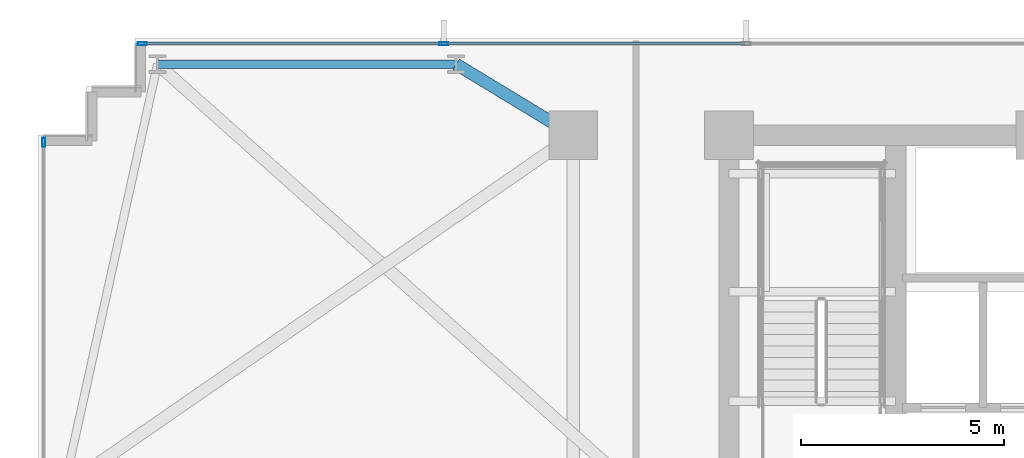
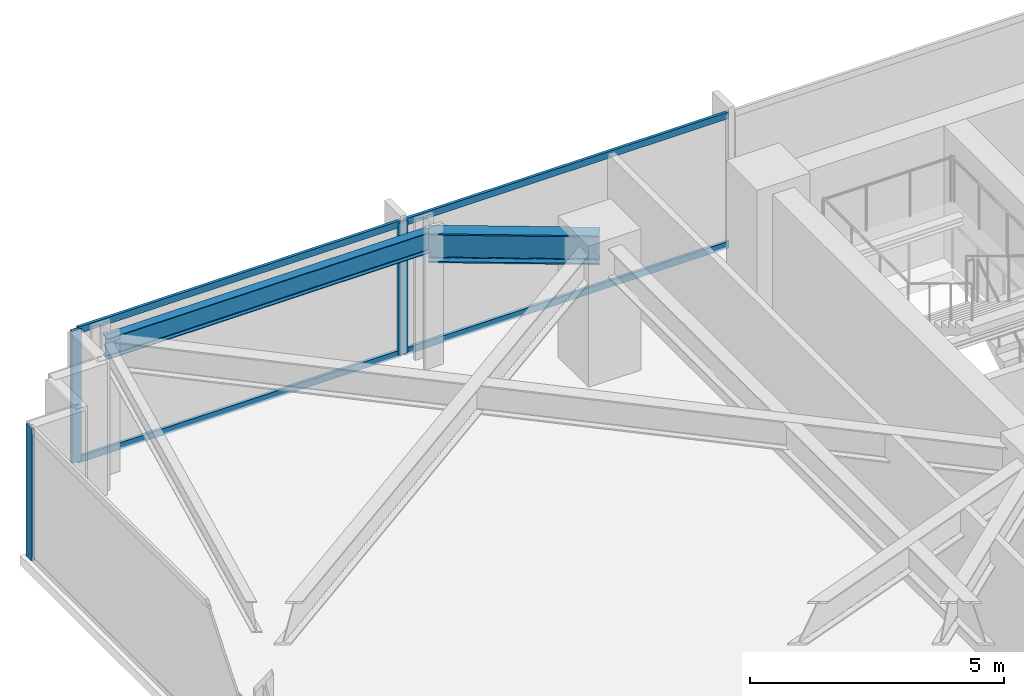
# One storey, part 17 of 32: 7 members, 2 beams, 2 elements without a shape of their own.
"""IFC4 building model written with IfcOpenShell, lengths in metres."""

from ifc_helpers import new_model, si_unit, direction, frame, origin, origin_2d, place, context, subcontext, project, spatial, hollow_rectangle, i_section, extrude, material, material_profile, profile_set, type_object, element, aggregate, save


model = new_model("IFC4")

# Units and contexts
model_context = context("Model", 3, precision=1e-05, world=origin(), true_north=direction((0.0, 1.0)))
body_context = subcontext(model_context, "Body", "Model", "MODEL_VIEW")
ifc_project = project(units=[si_unit("LENGTHUNIT", "METRE"), si_unit("AREAUNIT", "SQUARE_METRE"), si_unit("VOLUMEUNIT", "CUBIC_METRE"), si_unit("PLANEANGLEUNIT", "RADIAN"), si_unit("MASSUNIT", "GRAM", prefix="KILO")], contexts=[model_context])

# Site, building, storey
site_placement = place(None, origin())
site = spatial("IfcSite", under=ifc_project, at=site_placement, CompositionType="ELEMENT")
building_placement = place(site_placement, origin())
building = spatial("IfcBuilding", under=site, at=building_placement, Name="Yelkora Congress Tower", CompositionType="ELEMENT")
storey_placement = place(building_placement, frame((0.0, 0.0, 61.0)))
storey = spatial("IfcBuildingStorey", under=building, at=storey_placement, Name="L15", CompositionType="ELEMENT", Elevation=61.0)

# Beams
ifc_material_1 = material(Name="Steel S355J2", Category="steel")
ifc_material_profile_1 = material_profile(ifc_material_1, i_section(OverallWidth=0.300048828125, OverallDepth=0.699951171875, WebThickness=0.01708984375, FlangeThickness=0.031982421875, FilletRadius=0.027099609375, at=origin_2d()), Name="HEB 700")
ifc_profile_set_1 = profile_set([ifc_material_profile_1], Name="Steel S355J2")
beam_type_1 = type_object("IfcBeamType", Name="BM-GIRD-HEB700", PredefinedType="BEAM", material=ifc_profile_set_1)
beam_1_placement = place(storey_placement, frame((16.3125, 47.949951171875, 2.830078125), z_axis=(0.855193946581, -0.518308126244, 0.0), x_axis=(0.518308126244, 0.855193946581, 0.0)))
element("IfcBeam", 1, at=beam_1_placement, inside=storey, type_object=beam_type_1, Name="L15 Primary Frame Girder N02", PredefinedType="BEAM", context=body_context, shape_type="SweptSolid", body=[
    extrude(i_section(OverallWidth=0.300048828125, OverallDepth=0.699951171875, WebThickness=0.01708984375, FlangeThickness=0.031982421875, FilletRadius=0.027099609375, at=origin_2d()), origin(), (0.0, 0.0, 1.0), 3.37646484375),
])
ifc_material_profile_2 = material_profile(ifc_material_1, i_section(OverallWidth=0.199951171875, OverallDepth=0.5, WebThickness=0.01025390625, FlangeThickness=0.01611328125, FilletRadius=0.02099609375, at=origin_2d()), Name="IPE 500")
ifc_profile_set_2 = profile_set([ifc_material_profile_2], Name="Steel S355J2")
beam_type_2 = type_object("IfcBeamType", Name="BM-SPAN-IPE500", PredefinedType="SPANDREL", material=ifc_profile_set_2)
beam_2_placement = place(storey_placement, frame((16.3125, 47.949951171875, 2.929931640625), z_axis=(-1.0, 0.0, 0.0), x_axis=(0.0, -1.0, 0.0)))
element("IfcBeam", 2, at=beam_2_placement, inside=storey, type_object=beam_type_2, Name="L15 Perimeter Beam 16", PredefinedType="SPANDREL", context=body_context, shape_type="SweptSolid", body=[
    extrude(i_section(OverallWidth=0.199951171875, OverallDepth=0.5, WebThickness=0.01025390625, FlangeThickness=0.01611328125, FilletRadius=0.02099609375, at=origin_2d()), origin(), (0.0, 0.0, 1.0), 7.362548828125),
])

# Curtain wall, member
ifc_material_2 = material(Name="Anodised aluminium and insulated glass", Category="aluminium")
curtain_wall_type = type_object("IfcCurtainWallType", Name="CW-SYS-B1", PredefinedType="NOTDEFINED", material=ifc_material_2)
curtain_wall_1_placement = place(storey_placement, origin())
curtain_wall_1 = element("IfcCurtainWall", 3, at=curtain_wall_1_placement, inside=storey, type_object=curtain_wall_type, Name="L15 Unitised Curtain Wall 5", PredefinedType="NOTDEFINED")
ifc_material_3 = material(Name="Anodised aluminium 6063-T6", Category="aluminium")
ifc_material_profile_3 = material_profile(ifc_material_3, hollow_rectangle(XDim=0.074951171875, YDim=0.219970703125, WallThickness=0.0048828125, at=origin_2d()), Name="ALU 75x220x5")
ifc_profile_set_3 = profile_set([ifc_material_profile_3], Name="Anodised aluminium 6063-T6")
member_type_1 = type_object("IfcMemberType", Name="MEM-ML-B1", PredefinedType="MULLION", material=ifc_profile_set_3)
member_1_placement = place(storey_placement, frame((6.139892578125, 46.0224609375, 0.0), z_axis=(0.0, 0.0, 1.0), x_axis=(-1.0, 0.0, 0.0)))
member_1 = element("IfcMember", 4, at=member_1_placement, type_object=member_type_1, Name="CW-B1 mullion 5", PredefinedType="MULLION", context=body_context, shape_type="SweptSolid", body=[
    extrude(hollow_rectangle(XDim=0.074951171875, YDim=0.219970703125, WallThickness=0.0048828125, at=origin_2d()), origin(), (0.0, 0.0, 1.0), 3.179931640625),
])
aggregate(curtain_wall_1, [member_1])

# Curtain wall, members
curtain_wall_2_placement = place(storey_placement, origin())
curtain_wall_2 = element("IfcCurtainWall", 5, at=curtain_wall_2_placement, inside=storey, type_object=curtain_wall_type, Name="L15 Unitised Curtain Wall 10", PredefinedType="NOTDEFINED")
member_2_placement = place(storey_placement, frame((8.577392578125, 48.4599609375, 0.0), z_axis=(0.0, 0.0, 1.0), x_axis=(0.0, 1.0, 0.0)))
member_2 = element("IfcMember", 6, at=member_2_placement, type_object=member_type_1, Name="CW-B1 mullion 1", PredefinedType="MULLION", context=body_context, shape_type="SweptSolid", body=[
    extrude(hollow_rectangle(XDim=0.074951171875, YDim=0.219970703125, WallThickness=0.0048828125, at=origin_2d()), origin(), (0.0, 0.0, 1.0), 3.179931640625),
])
member_3_placement = place(storey_placement, frame((16.0048828125, 48.4599609375, 0.0), z_axis=(0.0, 0.0, 1.0), x_axis=(0.0, 1.0, 0.0)))
member_3 = element("IfcMember", 7, at=member_3_placement, type_object=member_type_1, Name="CW-B1 mullion 2", PredefinedType="MULLION", context=body_context, shape_type="SweptSolid", body=[
    extrude(hollow_rectangle(XDim=0.074951171875, YDim=0.219970703125, WallThickness=0.0048828125, at=origin_2d()), origin(), (0.0, 0.0, 1.0), 3.179931640625),
])
ifc_material_profile_4 = material_profile(ifc_material_3, hollow_rectangle(XDim=0.06494140625, YDim=0.159912109375, WallThickness=0.00390625, at=origin_2d()), Name="ALU 65x160x4")
ifc_profile_set_4 = profile_set([ifc_material_profile_4], Name="Anodised aluminium 6063-T6")
member_type_2 = type_object("IfcMemberType", Name="MEM-TR-B1", PredefinedType="USERDEFINED", material=ifc_profile_set_4)
member_4_placement = place(storey_placement, frame((8.614990234375, 48.4599609375, 0.032470703125), z_axis=(1.0, 0.0, 0.0), x_axis=(0.0, 1.0, 0.0)))
member_4 = element("IfcMember", 8, at=member_4_placement, type_object=member_type_2, Name="CW-B1 transom 1.1", ObjectType="TRANSOM", PredefinedType="USERDEFINED", context=body_context, shape_type="SweptSolid", body=[
    extrude(hollow_rectangle(XDim=0.06494140625, YDim=0.159912109375, WallThickness=0.00390625, at=origin_2d()), origin(), (0.0, 0.0, 1.0), 7.3525390625),
])
member_5_placement = place(storey_placement, frame((8.614990234375, 48.4599609375, 3.1474609375), z_axis=(1.0, 0.0, 0.0), x_axis=(0.0, 1.0, 0.0)))
member_5 = element("IfcMember", 9, at=member_5_placement, type_object=member_type_2, Name="CW-B1 transom 1.2", ObjectType="TRANSOM", PredefinedType="USERDEFINED", context=body_context, shape_type="SweptSolid", body=[
    extrude(hollow_rectangle(XDim=0.06494140625, YDim=0.159912109375, WallThickness=0.00390625, at=origin_2d()), origin(), (0.0, 0.0, 1.0), 7.3525390625),
])
member_6_placement = place(storey_placement, frame((16.04248046875, 48.4599609375, 0.032470703125), z_axis=(1.0, 0.0, 0.0), x_axis=(0.0, 1.0, 0.0)))
member_6 = element("IfcMember", 10, at=member_6_placement, type_object=member_type_2, Name="CW-B1 transom 2.1", ObjectType="TRANSOM", PredefinedType="USERDEFINED", context=body_context, shape_type="SweptSolid", body=[
    extrude(hollow_rectangle(XDim=0.06494140625, YDim=0.159912109375, WallThickness=0.00390625, at=origin_2d()), origin(), (0.0, 0.0, 1.0), 7.39013671875),
])
member_7_placement = place(storey_placement, frame((16.04248046875, 48.4599609375, 3.1474609375), z_axis=(1.0, 0.0, 0.0), x_axis=(0.0, 1.0, 0.0)))
member_7 = element("IfcMember", 11, at=member_7_placement, type_object=member_type_2, Name="CW-B1 transom 2.2", ObjectType="TRANSOM", PredefinedType="USERDEFINED", context=body_context, shape_type="SweptSolid", body=[
    extrude(hollow_rectangle(XDim=0.06494140625, YDim=0.159912109375, WallThickness=0.00390625, at=origin_2d()), origin(), (0.0, 0.0, 1.0), 7.39013671875),
])
aggregate(curtain_wall_2, [member_2, member_3, member_4, member_5, member_6, member_7])

save(model, "model.ifc")
